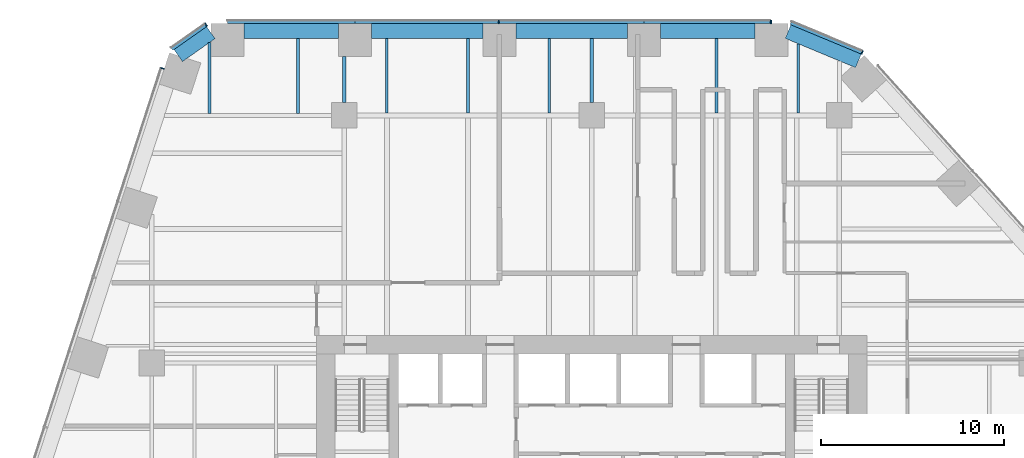
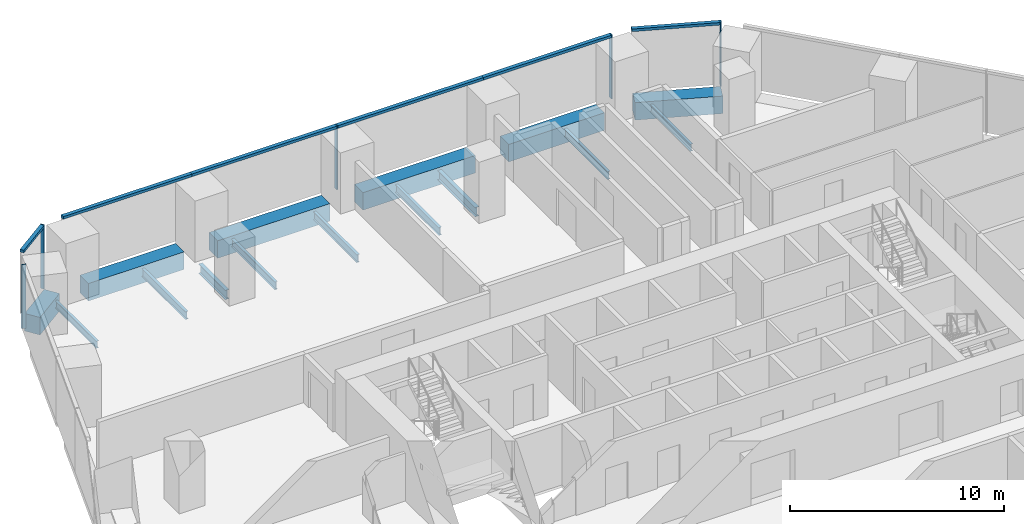
# One storey, part 12 of 21: 15 beams, 11 members, 4 elements without a shape of their own.
"""IFC4 building model written with IfcOpenShell, lengths in metres."""

from ifc_helpers import new_model, si_unit, direction, frame, origin, origin_2d, place, context, subcontext, project, spatial, rectangle, i_section, extrude, material, layer, layer_set, material_profile, profile_set, type_object, element, aggregate, save


model = new_model("IFC4")

# Units and contexts
model_context = context("Model", 3, precision=1e-05, world=origin(), true_north=direction((0.0, 1.0)))
body_context = subcontext(model_context, "Body", "Model", "MODEL_VIEW")
ifc_project = project(units=[si_unit("LENGTHUNIT", "METRE"), si_unit("AREAUNIT", "SQUARE_METRE"), si_unit("VOLUMEUNIT", "CUBIC_METRE"), si_unit("PLANEANGLEUNIT", "RADIAN"), si_unit("MASSUNIT", "GRAM", prefix="KILO")], contexts=[model_context])

# Site, building, storey
site_placement = place(None, origin())
site = spatial("IfcSite", under=ifc_project, at=site_placement, CompositionType="ELEMENT")
building_placement = place(site_placement, origin())
building = spatial("IfcBuilding", under=site, at=building_placement, Name="Isthmus Gate Tower", CompositionType="ELEMENT")
storey_placement = place(building_placement, frame((0.0, 0.0, 46.949951171875)))
storey = spatial("IfcBuildingStorey", under=building, at=storey_placement, Name="L09", CompositionType="ELEMENT", Elevation=46.949951171875)

# Curtain wall, members
ifc_material_1 = material(Name="Aluminium, pale champagne anodised", Category="aluminium")
ifc_layer = layer(ifc_material_1, 0.199951171875)
ifc_layer_set = layer_set([ifc_layer], Name="CW-1 UNITISED CURTAIN WALL 200 DEEP")
curtain_wall_type = type_object("IfcCurtainWallType", Name="CW-1 UNITISED CURTAIN WALL 200 DEEP", PredefinedType="NOTDEFINED", material=ifc_layer_set)
curtain_wall_1_placement = place(storey_placement, origin())
curtain_wall_1 = element("IfcCurtainWall", 1, at=curtain_wall_1_placement, inside=storey, type_object=curtain_wall_type, Name="CW-1 N L09", PredefinedType="NOTDEFINED")
ifc_material_2 = material(Name="Aluminium, pale champagne anodised", Category="aluminium")
ifc_material_profile_1 = material_profile(ifc_material_2, rectangle(XDim=0.06005859375, YDim=0.199951171875, at=origin_2d()), Name="60x200")
ifc_profile_set_1 = profile_set([ifc_material_profile_1], Name="Aluminium, pale champagne anodised")
member_type_1 = type_object("IfcMemberType", Name="CW-1 MULLION 60 X 200", PredefinedType="MULLION", material=ifc_profile_set_1)
member_1_placement = place(storey_placement, frame((9.77197265625, 32.10009765625, 0.0), z_axis=(0.0, 0.0, 1.0), x_axis=(-1.0, 0.0, 0.0)))
member_1 = element("IfcMember", 2, at=member_1_placement, type_object=member_type_1, Name="CW-1 mullion", PredefinedType="MULLION", context=body_context, shape_type="SweptSolid", body=[
    extrude(rectangle(XDim=0.06005859375, YDim=0.199951171875, at=origin_2d()), origin(), (0.0, 0.0, 1.0), 3.650146484375),
])
member_2_placement = place(storey_placement, frame((-5.067138671875, 32.10009765625, 0.0), z_axis=(0.0, 0.0, 1.0), x_axis=(-1.0, 0.0, 0.0)))
member_2 = element("IfcMember", 3, at=member_2_placement, type_object=member_type_1, Name="CW-1 mullion", PredefinedType="MULLION", context=body_context, shape_type="SweptSolid", body=[
    extrude(rectangle(XDim=0.06005859375, YDim=0.199951171875, at=origin_2d()), origin(), (0.0, 0.0, 1.0), 3.650146484375),
])

# Curtain wall, member
curtain_wall_2_placement = place(storey_placement, origin())
curtain_wall_2 = element("IfcCurtainWall", 4, at=curtain_wall_2_placement, inside=storey, type_object=curtain_wall_type, Name="CW-1 N-NW L09", PredefinedType="NOTDEFINED")
member_3_placement = place(storey_placement, frame((-21.031005859375, 31.943115234375, 0.0), z_axis=(0.0, 0.0, 1.0), x_axis=(-0.81785959165, -0.57541783805, 0.0)))
member_3 = element("IfcMember", 5, at=member_3_placement, type_object=member_type_1, Name="CW-1 mullion", PredefinedType="MULLION", context=body_context, shape_type="SweptSolid", body=[
    extrude(rectangle(XDim=0.06005859375, YDim=0.199951171875, at=origin_2d()), origin(), (0.0, 0.0, 1.0), 3.650146484375),
])

curtain_wall_3_placement = place(storey_placement, origin())
curtain_wall_3 = element("IfcCurtainWall", 6, at=curtain_wall_3_placement, inside=storey, type_object=curtain_wall_type, Name="CW-1 NW L09", PredefinedType="NOTDEFINED")
member_4_placement = place(storey_placement, frame((-23.41162109375, 29.561279296875, 0.0), z_axis=(0.0, 0.0, 1.0), x_axis=(-0.309016994375, -0.951056516295, 0.0)))
member_4 = element("IfcMember", 7, at=member_4_placement, type_object=member_type_1, Name="CW-1 mullion", PredefinedType="MULLION", context=body_context, shape_type="SweptSolid", body=[
    extrude(rectangle(XDim=0.06005859375, YDim=0.199951171875, at=origin_2d()), origin(), (0.0, 0.0, 1.0), 3.650146484375),
])
aggregate(curtain_wall_3, [member_4])

curtain_wall_4_placement = place(storey_placement, origin())
curtain_wall_4 = element("IfcCurtainWall", 8, at=curtain_wall_4_placement, inside=storey, type_object=curtain_wall_type, Name="CW-1 NE-N L09", PredefinedType="NOTDEFINED")
member_5_placement = place(storey_placement, frame((14.744140625, 30.427490234375, 0.0), z_axis=(0.0, 0.0, 1.0), x_axis=(-0.923353128387, 0.383951820282, 0.0)))
member_5 = element("IfcMember", 9, at=member_5_placement, type_object=member_type_1, Name="CW-1 mullion", PredefinedType="MULLION", context=body_context, shape_type="SweptSolid", body=[
    extrude(rectangle(XDim=0.06005859375, YDim=0.199951171875, at=origin_2d()), origin(), (0.0, 0.0, 1.0), 3.650146484375),
])

# Member
ifc_material_3 = material(Name="Aluminium, pale champagne anodised", Category="aluminium")
ifc_material_profile_2 = material_profile(ifc_material_3, rectangle(XDim=0.199951171875, YDim=0.14990234375, at=origin_2d()), Name="200x150")
ifc_profile_set_2 = profile_set([ifc_material_profile_2], Name="Aluminium, pale champagne anodised")
member_type_2 = type_object("IfcMemberType", Name="CW-1 TRANSOM 200 X 150", PredefinedType="USERDEFINED", material=ifc_profile_set_2)
member_6_placement = place(storey_placement, frame((9.741943359375, 32.10009765625, 3.574951171875), z_axis=(-1.0, 0.0, 0.0), x_axis=(0.0, -1.0, 0.0)))
member_6 = element("IfcMember", 10, at=member_6_placement, type_object=member_type_2, Name="CW-1 transom", ObjectType="TRANSOM", PredefinedType="USERDEFINED", context=body_context, shape_type="SweptSolid", body=[
    extrude(rectangle(XDim=0.199951171875, YDim=0.14990234375, at=origin_2d()), origin(), (0.0, 0.0, 1.0), 6.90966796875),
])

member_7_placement = place(storey_placement, frame((2.832275390625, 32.10009765625, 3.574951171875), z_axis=(-1.0, 0.0, 0.0), x_axis=(0.0, -1.0, 0.0)))
member_7 = element("IfcMember", 11, at=member_7_placement, type_object=member_type_2, Name="CW-1 transom", ObjectType="TRANSOM", PredefinedType="USERDEFINED", context=body_context, shape_type="SweptSolid", body=[
    extrude(rectangle(XDim=0.199951171875, YDim=0.14990234375, at=origin_2d()), origin(), (0.0, 0.0, 1.0), 7.869384765625),
])

member_8_placement = place(storey_placement, frame((-5.09716796875, 32.10009765625, 3.574951171875), z_axis=(-1.0, 0.0, 0.0), x_axis=(0.0, -1.0, 0.0)))
member_8 = element("IfcMember", 12, at=member_8_placement, type_object=member_type_2, Name="CW-1 transom", ObjectType="TRANSOM", PredefinedType="USERDEFINED", context=body_context, shape_type="SweptSolid", body=[
    extrude(rectangle(XDim=0.199951171875, YDim=0.14990234375, at=origin_2d()), origin(), (0.0, 0.0, 1.0), 7.8095703125),
])

member_9_placement = place(storey_placement, frame((-12.90673828125, 32.10009765625, 3.574951171875), z_axis=(-1.0, 0.0, 0.0), x_axis=(0.0, -1.0, 0.0)))
member_9 = element("IfcMember", 13, at=member_9_placement, type_object=member_type_2, Name="CW-1 transom", ObjectType="TRANSOM", PredefinedType="USERDEFINED", context=body_context, shape_type="SweptSolid", body=[
    extrude(rectangle(XDim=0.199951171875, YDim=0.14990234375, at=origin_2d()), origin(), (0.0, 0.0, 1.0), 6.969482421875),
])

aggregate(curtain_wall_1, [member_1, member_6, member_7, member_2, member_8, member_9])

member_10_placement = place(storey_placement, frame((-21.055419921875, 31.92578125, 3.574951171875), z_axis=(-0.817868595604, -0.575405040233, 0.0), x_axis=(0.575405040233, -0.817868595604, 0.0)))
member_10 = element("IfcMember", 14, at=member_10_placement, type_object=member_type_2, Name="CW-1 transom", ObjectType="TRANSOM", PredefinedType="USERDEFINED", context=body_context, shape_type="SweptSolid", body=[
    extrude(rectangle(XDim=0.199951171875, YDim=0.14990234375, at=origin_2d()), origin(), (0.0, 0.0, 1.0), 2.258544921875),
])

aggregate(curtain_wall_2, [member_3, member_10])

member_11_placement = place(storey_placement, frame((14.716552734375, 30.43896484375, 3.574951171875), z_axis=(-0.923358236369, 0.383939536033, 0.0), x_axis=(-0.383939536033, -0.923358236369, 0.0)))
member_11 = element("IfcMember", 15, at=member_11_placement, type_object=member_type_2, Name="CW-1 transom", ObjectType="TRANSOM", PredefinedType="USERDEFINED", context=body_context, shape_type="SweptSolid", body=[
    extrude(rectangle(XDim=0.199951171875, YDim=0.14990234375, at=origin_2d()), origin(), (0.0, 0.0, 1.0), 4.181640625),
])

aggregate(curtain_wall_4, [member_5, member_11])

# Beams
ifc_material_4 = material(Name="Concrete f'c 70 MPa", Category="concrete")
ifc_material_profile_3 = material_profile(ifc_material_4, rectangle(XDim=0.800048828125, YDim=1.0, at=origin_2d()), Name="RC 800X1000")
ifc_profile_set_3 = profile_set([ifc_material_profile_3], Name="Concrete f'c 70 MPa")
beam_type_1 = type_object("IfcBeamType", Name="RC SPANDREL 800 X 1000", PredefinedType="SPANDREL", material=ifc_profile_set_3)
beam_1_placement = place(storey_placement, frame((10.701904296875, 31.56689453125, -0.5), z_axis=(0.923334166719, -0.383997417399, 0.0), x_axis=(0.383997417399, 0.923334166719, 0.0)))
element("IfcBeam", 16, at=beam_1_placement, inside=storey, type_object=beam_type_1, Name="str-spandrel-L09-00", PredefinedType="SPANDREL", context=body_context, shape_type="SweptSolid", body=[
    extrude(rectangle(XDim=0.800048828125, YDim=1.0, at=origin_2d()), origin(), (0.0, 0.0, 1.0), 4.15234375),
])
beam_2_placement = place(storey_placement, frame((-22.553466796875, 30.260498046875, -0.5), z_axis=(0.817857331203, 0.575421050882, 0.0), x_axis=(-0.575421050882, 0.817857331203, 0.0)))
element("IfcBeam", 17, at=beam_2_placement, inside=storey, type_object=beam_type_1, Name="str-spandrel-L09-22", PredefinedType="SPANDREL", context=body_context, shape_type="SweptSolid", body=[
    extrude(rectangle(XDim=0.800048828125, YDim=1.0, at=origin_2d()), origin(), (0.0, 0.0, 1.0), 2.173095703125),
])
beam_3_placement = place(storey_placement, frame((-18.976318359375, 31.60009765625, -0.5), z_axis=(1.0, 0.0, 0.0), x_axis=(0.0, 1.0, 0.0)))
element("IfcBeam", 18, at=beam_3_placement, inside=storey, type_object=beam_type_1, Name="str-spandrel-L09-23", PredefinedType="SPANDREL", context=body_context, shape_type="SweptSolid", body=[
    extrude(rectangle(XDim=0.800048828125, YDim=1.0, at=origin_2d()), origin(), (0.0, 0.0, 1.0), 5.169677734375),
])
beam_4_placement = place(storey_placement, frame((-12.006591796875, 31.60009765625, -0.5), z_axis=(1.0, 0.0, 0.0), x_axis=(0.0, 1.0, 0.0)))
element("IfcBeam", 19, at=beam_4_placement, inside=storey, type_object=beam_type_1, Name="str-spandrel-L09-24", PredefinedType="SPANDREL", context=body_context, shape_type="SweptSolid", body=[
    extrude(rectangle(XDim=0.800048828125, YDim=1.0, at=origin_2d()), origin(), (0.0, 0.0, 1.0), 6.0693359375),
])
beam_5_placement = place(storey_placement, frame((-4.13720703125, 31.60009765625, -0.5), z_axis=(1.0, 0.0, 0.0), x_axis=(0.0, 1.0, 0.0)))
element("IfcBeam", 20, at=beam_5_placement, inside=storey, type_object=beam_type_1, Name="str-spandrel-L09-25", PredefinedType="SPANDREL", context=body_context, shape_type="SweptSolid", body=[
    extrude(rectangle(XDim=0.800048828125, YDim=1.0, at=origin_2d()), origin(), (0.0, 0.0, 1.0), 6.069580078125),
])
beam_6_placement = place(storey_placement, frame((3.732421875, 31.60009765625, -0.5), z_axis=(1.0, 0.0, 0.0), x_axis=(0.0, 1.0, 0.0)))
element("IfcBeam", 21, at=beam_6_placement, inside=storey, type_object=beam_type_1, Name="str-spandrel-L09-26", PredefinedType="SPANDREL", context=body_context, shape_type="SweptSolid", body=[
    extrude(rectangle(XDim=0.800048828125, YDim=1.0, at=origin_2d()), origin(), (0.0, 0.0, 1.0), 5.16943359375),
])
ifc_material_5 = material(Name="Structural steel ASTM A992 Gr 50", Category="steel")
ifc_material_profile_4 = material_profile(ifc_material_5, i_section(OverallWidth=0.1396484375, OverallDepth=0.4033203125, WebThickness=0.00634765625, FlangeThickness=0.010986328125, at=origin_2d()), Name="W16X31")
ifc_profile_set_4 = profile_set([ifc_material_profile_4], Name="Structural steel ASTM A992 Gr 50")
beam_type_2 = type_object("IfcBeamType", Name="STEEL FLOOR BEAM W16X31", PredefinedType="JOIST", material=ifc_profile_set_4)
beam_7_placement = place(storey_placement, frame((-20.846435546875, 27.1142578125, -0.3515625), z_axis=(0.0, 1.0, 0.0), x_axis=(-1.0, 0.0, 0.0)))
element("IfcBeam", 22, at=beam_7_placement, inside=storey, type_object=beam_type_2, Name="str-beam-L09-08-00", PredefinedType="JOIST", context=body_context, shape_type="SweptSolid", body=[
    extrude(i_section(OverallWidth=0.1396484375, OverallDepth=0.4033203125, WebThickness=0.00634765625, FlangeThickness=0.010986328125, at=origin_2d()), origin(), (0.0, 0.0, 1.0), 3.858154296875),
])
beam_8_placement = place(storey_placement, frame((11.267578125, 27.1318359375, -0.3515625), z_axis=(0.0, 1.0, 0.0), x_axis=(-1.0, 0.0, 0.0)))
element("IfcBeam", 23, at=beam_8_placement, inside=storey, type_object=beam_type_2, Name="str-beam-L09-19-02", PredefinedType="JOIST", context=body_context, shape_type="SweptSolid", body=[
    extrude(i_section(OverallWidth=0.1396484375, OverallDepth=0.4033203125, WebThickness=0.00634765625, FlangeThickness=0.010986328125, at=origin_2d()), origin(), (0.0, 0.0, 1.0), 3.7666015625),
])
ifc_material_6 = material(Name="Structural steel ASTM A992 Gr 50", Category="steel")
ifc_material_profile_5 = material_profile(ifc_material_6, i_section(OverallWidth=0.15234375, OverallDepth=0.45068359375, WebThickness=0.0078125, FlangeThickness=0.010986328125, at=origin_2d()), Name="W18X35")
ifc_profile_set_5 = profile_set([ifc_material_profile_5], Name="Structural steel ASTM A992 Gr 50")
beam_type_3 = type_object("IfcBeamType", Name="STEEL FLOOR BEAM W18X35", PredefinedType="JOIST", material=ifc_profile_set_5)
beam_9_placement = place(storey_placement, frame((-16.0185546875, 27.1142578125, -0.375244140625), z_axis=(0.0, 1.0, 0.0), x_axis=(-1.0, 0.0, 0.0)))
element("IfcBeam", 24, at=beam_9_placement, inside=storey, type_object=beam_type_3, Name="str-beam-L09-08-01", PredefinedType="JOIST", context=body_context, shape_type="SweptSolid", body=[
    extrude(i_section(OverallWidth=0.15234375, OverallDepth=0.45068359375, WebThickness=0.0078125, FlangeThickness=0.010986328125, at=origin_2d()), origin(), (0.0, 0.0, 1.0), 4.085693359375),
])
for number, where, z_axis, x_axis, name in (
    (25, (-11.18017578125, 27.1318359375, -0.375244140625), (0.0, 1.0, 0.0), (-1.0, 0.0, 0.0), "str-beam-L09-14-00"),
    (26, (-6.75, 27.1318359375, -0.375244140625), (0.0, 1.0, 0.0), (-1.0, 0.0, 0.0), "str-beam-L09-14-01"),
    (27, (-2.31982421875, 27.1318359375, -0.375244140625), (0.0, 1.0, 0.0), (-1.0, 0.0, 0.0), "str-beam-L09-14-02"),
    (28, (6.802490234375, 27.1318359375, -0.375244140625), (0.0, 1.0, 0.0), (-1.0, 0.0, 0.0), "str-beam-L09-19-01"),
):
    element("IfcBeam", number, at=place(storey_placement, frame(where, z_axis=z_axis, x_axis=x_axis)), inside=storey, type_object=beam_type_3, Name=name, PredefinedType="JOIST", context=body_context, shape_type="SweptSolid", body=[
        extrude(i_section(OverallWidth=0.15234375, OverallDepth=0.45068359375, WebThickness=0.0078125, FlangeThickness=0.010986328125, at=origin_2d()), origin(), (0.0, 0.0, 1.0), 4.068115234375),
    ])
ifc_material_7 = material(Name="Structural steel ASTM A992 Gr 50", Category="steel")
ifc_material_profile_6 = material_profile(ifc_material_7, i_section(OverallWidth=0.20947265625, OverallDepth=0.533447265625, WebThickness=0.009521484375, FlangeThickness=0.015869140625, at=origin_2d()), Name="W21X62")
ifc_profile_set_6 = profile_set([ifc_material_profile_6], Name="Structural steel ASTM A992 Gr 50")
beam_type_4 = type_object("IfcBeamType", Name="STEEL GIRDER W21X62", PredefinedType="BEAM", material=ifc_profile_set_6)
beam_10_placement = place(storey_placement, frame((-13.5, 27.699951171875, -0.416748046875), z_axis=(0.0, 1.0, 0.0), x_axis=(-1.0, 0.0, 0.0)))
element("IfcBeam", 29, at=beam_10_placement, inside=storey, type_object=beam_type_4, Name="str-girder-L09-27", PredefinedType="BEAM", context=body_context, shape_type="SweptSolid", body=[
    extrude(i_section(OverallWidth=0.20947265625, OverallDepth=0.533447265625, WebThickness=0.009521484375, FlangeThickness=0.015869140625, at=origin_2d()), origin(), (0.0, 0.0, 1.0), 2.5),
])
beam_11_placement = place(storey_placement, frame((0.0, 27.699951171875, -0.416748046875), z_axis=(0.0, 1.0, 0.0), x_axis=(-1.0, 0.0, 0.0)))
element("IfcBeam", 30, at=beam_11_placement, inside=storey, type_object=beam_type_4, Name="str-girder-L09-30", PredefinedType="BEAM", context=body_context, shape_type="SweptSolid", body=[
    extrude(i_section(OverallWidth=0.20947265625, OverallDepth=0.533447265625, WebThickness=0.009521484375, FlangeThickness=0.015869140625, at=origin_2d()), origin(), (0.0, 0.0, 1.0), 3.5),
])

save(model, "model.ifc")
